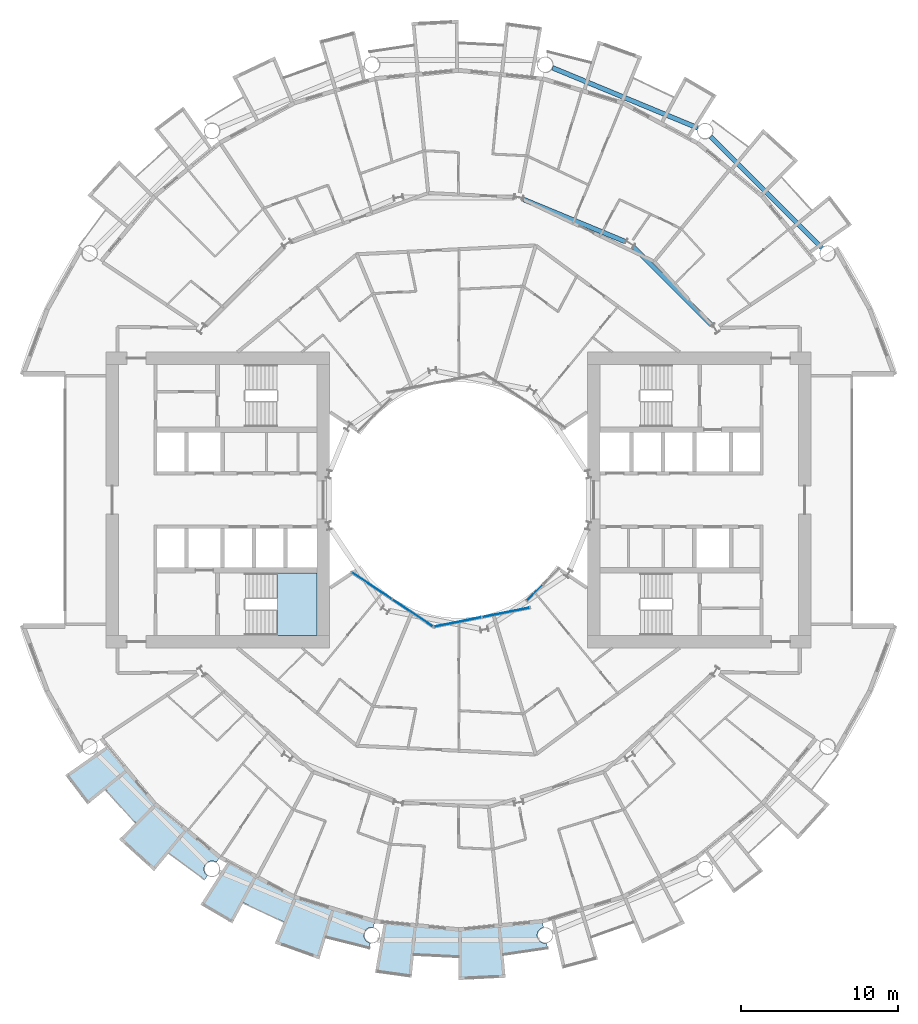
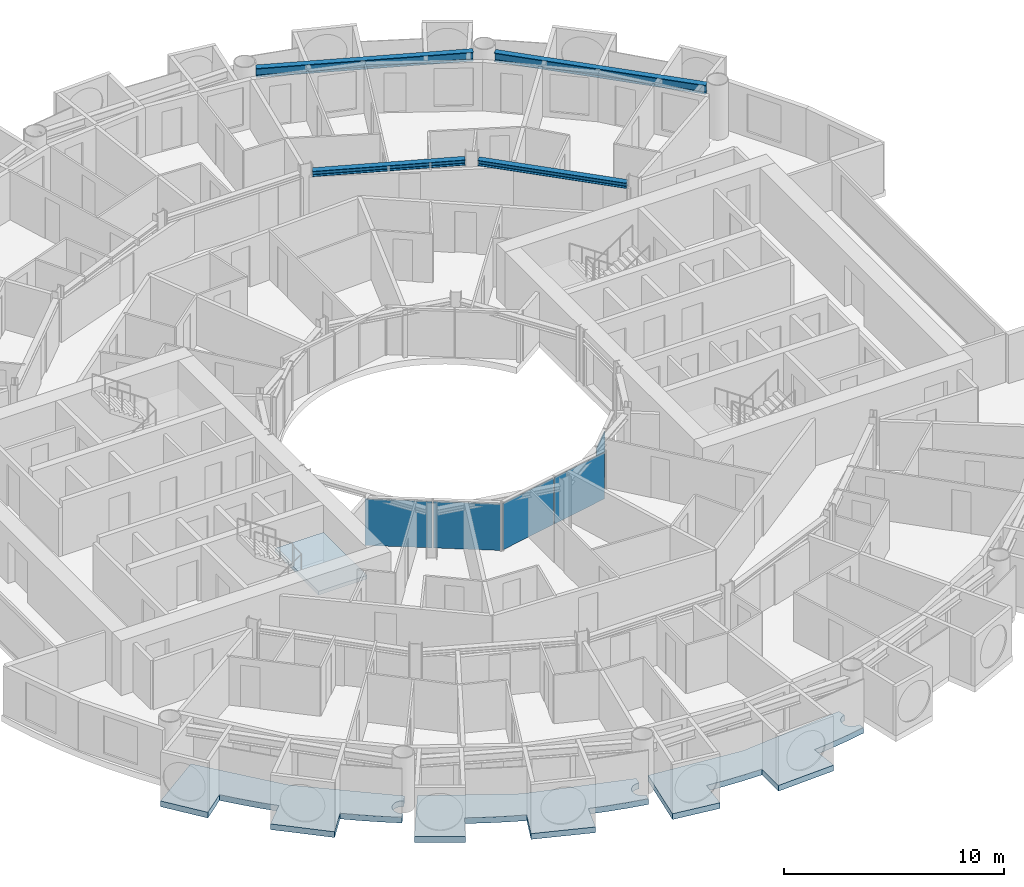
# One storey, part 9 of 25: 5 plates, 4 beams, 4 slabs, 4 elements without a shape of their own.
"""IFC4 building model written with IfcOpenShell, lengths in metres."""

from ifc_helpers import new_model, si_unit, direction, frame, origin, origin_2d, place, context, subcontext, project, spatial, polyline, rectangle, i_section, outline, extrude, material, layer, layer_set, material_profile, profile_set, type_object, element, aggregate, save


model = new_model("IFC4")

# Units and contexts
model_context = context("Model", 3, precision=1e-05, world=origin(), true_north=direction((0.0, 1.0)))
body_context = subcontext(model_context, "Body", "Model", "MODEL_VIEW")
ifc_project = project(units=[si_unit("LENGTHUNIT", "METRE"), si_unit("AREAUNIT", "SQUARE_METRE"), si_unit("VOLUMEUNIT", "CUBIC_METRE"), si_unit("PLANEANGLEUNIT", "RADIAN"), si_unit("MASSUNIT", "GRAM", prefix="KILO")], contexts=[model_context])

# Site, building, storey
site_placement = place(None, origin())
site = spatial("IfcSite", under=ifc_project, at=site_placement, CompositionType="ELEMENT")
building_placement = place(site_placement, origin())
building = spatial("IfcBuilding", under=site, at=building_placement, Name="Maasbend Ring Residences", CompositionType="ELEMENT")
storey_placement = place(building_placement, frame((0.0, 0.0, 41.10009765625)))
storey = spatial("IfcBuildingStorey", under=building, at=storey_placement, Name="L11", CompositionType="ELEMENT", Elevation=41.10009765625)

# Beams
ifc_material_1 = material(Name="Steel S355J2", Category="steel")
ifc_material_profile_1 = material_profile(ifc_material_1, i_section(OverallWidth=0.300048828125, OverallDepth=0.300048828125, WebThickness=0.010986328125, FlangeThickness=0.01904296875, FilletRadius=0.027099609375, at=origin_2d()), Name="HEB 300")
ifc_profile_set_1 = profile_set([ifc_material_profile_1], Name="Steel S355J2")
beam_type_1 = type_object("IfcBeamType", Name="Corridor ring beam HEB 300", PredefinedType="BEAM", material=ifc_profile_set_1)
beam_1_placement = place(storey_placement, frame((16.0732421875, 11.11279296875, 2.5498046875), z_axis=(-0.707106781187, 0.707106781187, 0.0), x_axis=(-0.707106781187, -0.707106781187, 0.0)))
element("IfcBeam", 1, at=beam_1_placement, inside=storey, type_object=beam_type_1, Name="Corridor ring beam", PredefinedType="BEAM", context=body_context, shape_type="SweptSolid", body=[
    extrude(i_section(OverallWidth=0.300048828125, OverallDepth=0.300048828125, WebThickness=0.010986328125, FlangeThickness=0.01904296875, FilletRadius=0.027099609375, at=origin_2d()), origin(), (0.0, 0.0, 1.0), 7.01513671875),
])
beam_2_placement = place(storey_placement, frame((10.59716796875, 16.417724609375, 2.5498046875), z_axis=(-0.923886196809, 0.38266734293, 0.0), x_axis=(-0.38266734293, -0.923886196809, 0.0)))
element("IfcBeam", 2, at=beam_2_placement, inside=storey, type_object=beam_type_1, Name="Corridor ring beam", PredefinedType="BEAM", context=body_context, shape_type="SweptSolid", body=[
    extrude(i_section(OverallWidth=0.300048828125, OverallDepth=0.300048828125, WebThickness=0.010986328125, FlangeThickness=0.01904296875, FilletRadius=0.027099609375, at=origin_2d()), origin(), (0.0, 0.0, 1.0), 7.015380859375),
])
ifc_material_2 = material(Name="Steel S355J2", Category="steel")
ifc_material_profile_2 = material_profile(ifc_material_2, i_section(OverallWidth=0.300048828125, OverallDepth=0.5, WebThickness=0.014404296875, FlangeThickness=0.028076171875, FilletRadius=0.027099609375, at=origin_2d()), Name="HEB 500")
ifc_profile_set_2 = profile_set([ifc_material_profile_2], Name="Steel S355J2")
beam_type_2 = type_object("IfcBeamType", Name="Spandrel ring beam HEB 500", PredefinedType="SPANDREL", material=ifc_profile_set_2)
beam_3_placement = place(storey_placement, frame((23.088134765625, 16.0263671875, 2.449951171875), z_axis=(-0.707106781187, 0.707106781187, 0.0), x_axis=(-0.707106781187, -0.707106781187, 0.0)))
element("IfcBeam", 3, at=beam_3_placement, inside=storey, type_object=beam_type_2, Name="Spandrel ring beam", PredefinedType="SPANDREL", context=body_context, shape_type="SweptSolid", body=[
    extrude(i_section(OverallWidth=0.300048828125, OverallDepth=0.5, WebThickness=0.014404296875, FlangeThickness=0.028076171875, FilletRadius=0.027099609375, at=origin_2d()), origin(), (0.0, 0.0, 1.0), 9.98681640625),
])
beam_4_placement = place(storey_placement, frame((15.19775390625, 23.641845703125, 2.449951171875), z_axis=(-0.923886337442, 0.382667003395, 0.0), x_axis=(-0.382667003395, -0.923886337442, 0.0)))
element("IfcBeam", 4, at=beam_4_placement, inside=storey, type_object=beam_type_2, Name="Spandrel ring beam", PredefinedType="SPANDREL", context=body_context, shape_type="SweptSolid", body=[
    extrude(i_section(OverallWidth=0.300048828125, OverallDepth=0.5, WebThickness=0.014404296875, FlangeThickness=0.028076171875, FilletRadius=0.027099609375, at=origin_2d()), origin(), (0.0, 0.0, 1.0), 9.9873046875),
])

# Stair, slab
ifc_material_3 = material(Name="Concrete C40/50", Category="concrete")
stair_type = type_object("IfcStairType", Name="CORE STAIR 18 RISERS", PredefinedType="HALF_TURN_STAIR", material=ifc_material_3)
stair_placement = place(storey_placement, origin())
stair = element("IfcStair", 5, at=stair_placement, inside=storey, type_object=stair_type, Name="L11 Exit stair ST-W1", PredefinedType="HALF_TURN_STAIR")
ifc_material_4 = material(Name="Concrete C40/50", Category="concrete")
ifc_layer_1 = layer(ifc_material_4, 0.199951171875)
ifc_layer_set_1 = layer_set([ifc_layer_1], Name="Concrete C40/50")
slab_type_1 = type_object("IfcSlabType", Name="CORE STAIR LANDING 200", PredefinedType="LANDING", material=ifc_layer_set_1)
slab_1_placement = place(storey_placement, frame((0.0, 0.0, 1.324951171875)))
slab_1 = element("IfcSlab", 6, at=slab_1_placement, type_object=slab_type_1, Name="ST-W1 landing 1", PredefinedType="LANDING", context=body_context, shape_type="SweptSolid", body=[
    extrude(outline(polyline([(-11.550048828125, -8.60009765625), (-9.0, -8.60009765625), (-9.0, -4.64990234375), (-11.550048828125, -4.64990234375), (-11.550048828125, -8.60009765625)])), origin(), (0.0, 0.0, 1.0), 0.199951171875),
])
aggregate(stair, [slab_1])

# Curtain wall, plates
ifc_material_5 = material(Name="Aluminium and clear glass", Category="aluminium")
ifc_layer_2 = layer(ifc_material_5, 0.179931640625)
ifc_layer_set_2 = layer_set([ifc_layer_2], Name="CW-W")
curtain_wall_type = type_object("IfcCurtainWallType", Name="CW-W", PredefinedType="NOTDEFINED", material=ifc_layer_set_2)
curtain_wall_1_placement = place(storey_placement, origin())
curtain_wall_1 = element("IfcCurtainWall", 7, at=curtain_wall_1_placement, inside=storey, type_object=curtain_wall_type, Name="Well curtain wall S1", PredefinedType="NOTDEFINED")
ifc_material_6 = material(Name="Glass clear laminated", Category="glass")
ifc_layer_3 = layer(ifc_material_6, 0.031982421875)
ifc_layer_set_3 = layer_set([ifc_layer_3], Name="CWP-W")
plate_type = type_object("IfcPlateType", Name="CWP-W", PredefinedType="CURTAIN_PANEL", material=ifc_layer_set_3)
plate_1_placement = place(storey_placement, frame((-5.51123046875, -5.44580078125, -0.000244140625), z_axis=(0.0, 0.0, 1.0), x_axis=(0.831469612303, -0.55557023302, 0.0)))
plate_1 = element("IfcPlate", 8, at=plate_1_placement, type_object=plate_type, Name="Glass panel well face", PredefinedType="CURTAIN_PANEL", context=body_context, shape_type="SweptSolid", body=[
    extrude(rectangle(XDim=3.053955078125, YDim=0.031982421875, at=origin_2d()), origin(), (0.0, 0.0, 1.0), 2.580078125),
])
plate_2_placement = place(storey_placement, frame((-2.922119140625, -7.17578125, -0.000244140625), z_axis=(0.0, 0.0, 1.0), x_axis=(0.831469612303, -0.55557023302, 0.0)))
plate_2 = element("IfcPlate", 9, at=plate_2_placement, type_object=plate_type, Name="Glass panel well face", PredefinedType="CURTAIN_PANEL", context=body_context, shape_type="SweptSolid", body=[
    extrude(rectangle(XDim=3.053955078125, YDim=0.031982421875, at=origin_2d()), origin(), (0.0, 0.0, 1.0), 2.580078125),
])
aggregate(curtain_wall_1, [plate_1, plate_2])

curtain_wall_2_placement = place(storey_placement, origin())
curtain_wall_2 = element("IfcCurtainWall", 10, at=curtain_wall_2_placement, inside=storey, type_object=curtain_wall_type, Name="Well curtain wall S2", PredefinedType="NOTDEFINED")
plate_3_placement = place(storey_placement, frame((-0.04638671875, -7.747802734375, -0.000244140625), z_axis=(0.0, 0.0, 1.0), x_axis=(0.980785280403, 0.195090322016, 0.0)))
plate_3 = element("IfcPlate", 11, at=plate_3_placement, type_object=plate_type, Name="Glass panel well face", PredefinedType="CURTAIN_PANEL", context=body_context, shape_type="SweptSolid", body=[
    extrude(rectangle(XDim=3.053955078125, YDim=0.031982421875, at=origin_2d()), origin(), (0.0, 0.0, 1.0), 2.580078125),
])
plate_4_placement = place(storey_placement, frame((3.0078125, -7.140380859375, -0.000244140625), z_axis=(0.0, 0.0, 1.0), x_axis=(0.980785280403, 0.195090322016, 0.0)))
plate_4 = element("IfcPlate", 12, at=plate_4_placement, type_object=plate_type, Name="Glass panel well face", PredefinedType="CURTAIN_PANEL", context=body_context, shape_type="SweptSolid", body=[
    extrude(rectangle(XDim=3.053955078125, YDim=0.031982421875, at=origin_2d()), origin(), (0.0, 0.0, 1.0), 2.580078125),
])
aggregate(curtain_wall_2, [plate_3, plate_4])

# Curtain wall, plate
curtain_wall_3_placement = place(storey_placement, origin())
curtain_wall_3 = element("IfcCurtainWall", 13, at=curtain_wall_3_placement, inside=storey, type_object=curtain_wall_type, Name="Well curtain wall S3", PredefinedType="NOTDEFINED")
plate_5_placement = place(storey_placement, frame((4.84375, -5.89013671875, -0.000244140625), z_axis=(0.0, 0.0, 1.0), x_axis=(0.707106781187, 0.707106781187, 0.0)))
plate_5 = element("IfcPlate", 14, at=plate_5_placement, type_object=plate_type, Name="Glass panel well face", PredefinedType="CURTAIN_PANEL", context=body_context, shape_type="SweptSolid", body=[
    extrude(rectangle(XDim=1.419677734375, YDim=0.031982421875, at=origin_2d()), origin(), (0.0, 0.0, 1.0), 2.580078125),
])
aggregate(curtain_wall_3, [plate_5])

# Slabs
ifc_material_7 = material(Name="Concrete C40/50", Category="concrete")
ifc_layer_4 = layer(ifc_material_7, 0.199951171875)
ifc_layer_set_4 = layer_set([ifc_layer_4], Name="Concrete C40/50")
slab_type_2 = type_object("IfcSlabType", Name="SL-LOGGIA", PredefinedType="FLOOR", material=ifc_layer_set_4)
slab_2_placement = place(storey_placement, frame((0.0, 0.0, -0.35009765625)))
element("IfcSlab", 15, at=slab_2_placement, inside=storey, type_object=slab_type_2, Name="Loggia floor 2", PredefinedType="FLOOR", context=body_context, shape_type="SweptSolid", body=[
    extrude(outline(polyline([(-12.806884765625, -23.9609375), (-10.447021484375, -25.221923828125), (-10.447021484375, -25.221923828125), (-10.447021484375, -25.221923828125), (-7.886962890625, -25.9990234375), (-5.325927734375, -26.77490234375), (-5.325927734375, -26.77490234375), (-5.325927734375, -26.77490234375), (-5.402099609375, -27.159912109375), (-5.4150390625, -27.157958984375), (-5.427001953125, -27.156005859375), (-5.43896484375, -27.154052734375), (-5.451904296875, -27.153076171875), (-5.464111328125, -27.15087890625), (-5.47705078125, -27.15087890625), (-5.489013671875, -27.14990234375), (-5.501953125, -27.14990234375), (-5.513916015625, -27.14990234375), (-5.52587890625, -27.15087890625), (-5.5390625, -27.15087890625), (-5.551025390625, -27.153076171875), (-5.56396484375, -27.154052734375), (-5.575927734375, -27.156005859375), (-5.587890625, -27.157958984375), (-5.60107421875, -27.159912109375), (-5.613037109375, -27.162109375), (-5.625, -27.1650390625), (-5.636962890625, -27.1689453125), (-5.64892578125, -27.172119140625), (-5.660888671875, -27.176025390625), (-5.673095703125, -27.179931640625), (-5.68408203125, -27.18408203125), (-5.696044921875, -27.18896484375), (-5.70703125, -27.194091796875), (-5.718994140625, -27.198974609375), (-5.72998046875, -27.2041015625), (-5.740966796875, -27.2099609375), (-5.751953125, -27.216064453125), (-5.762939453125, -27.221923828125), (-5.77294921875, -27.22900390625), (-5.783935546875, -27.236083984375), (-5.7939453125, -27.242919921875), (-5.803955078125, -27.25), (-5.81396484375, -27.258056640625), (-5.823974609375, -27.264892578125), (-5.8330078125, -27.27294921875), (-5.843017578125, -27.281982421875), (-5.85205078125, -27.2900390625), (-5.861083984375, -27.299072265625), (-5.868896484375, -27.30810546875), (-5.8779296875, -27.31689453125), (-5.885986328125, -27.325927734375), (-5.89404296875, -27.3359375), (-5.902099609375, -27.345947265625), (-5.909912109375, -27.35498046875), (-5.9169921875, -27.365966796875), (-5.924072265625, -27.3759765625), (-5.930908203125, -27.385986328125), (-5.93701171875, -27.39697265625), (-5.944091796875, -27.407958984375), (-5.949951171875, -27.4189453125), (-5.955078125, -27.429931640625), (-5.9609375, -27.44091796875), (-5.966064453125, -27.451904296875), (-5.970947265625, -27.464111328125), (-5.97509765625, -27.47509765625), (-5.97998046875, -27.487060546875), (-5.98388671875, -27.4990234375), (-5.988037109375, -27.510986328125), (-5.990966796875, -27.52294921875), (-5.993896484375, -27.534912109375), (-5.9970703125, -27.547119140625), (-6.0, -27.55908203125), (-6.001953125, -27.571044921875), (-6.00390625, -27.583984375), (-6.006103515625, -27.595947265625), (-6.007080078125, -27.60791015625), (-6.008056640625, -27.62109375), (-6.009033203125, -27.633056640625), (-6.009033203125, -27.64599609375), (-6.010009765625, -27.657958984375), (-6.009033203125, -27.6708984375), (-6.009033203125, -27.68310546875), (-6.008056640625, -27.695068359375), (-6.007080078125, -27.7080078125), (-6.006103515625, -27.719970703125), (-6.00390625, -27.73291015625), (-6.001953125, -27.7451171875), (-6.0, -27.757080078125), (-5.9970703125, -27.76904296875), (-5.993896484375, -27.781982421875), (-5.990966796875, -27.7939453125), (-5.988037109375, -27.805908203125), (-5.98388671875, -27.81689453125), (-5.97998046875, -27.8291015625), (-5.97509765625, -27.841064453125), (-5.970947265625, -27.85302734375), (-5.966064453125, -27.864013671875), (-5.9609375, -27.875), (-5.955078125, -27.886962890625), (-5.949951171875, -27.89794921875), (-5.944091796875, -27.907958984375), (-5.93701171875, -27.9189453125), (-5.930908203125, -27.929931640625), (-5.924072265625, -27.93994140625), (-5.9169921875, -27.950927734375), (-5.909912109375, -27.9609375), (-5.902099609375, -27.970947265625), (-5.89404296875, -27.97998046875), (-5.885986328125, -27.989990234375), (-5.8779296875, -27.9990234375), (-5.868896484375, -28.008056640625), (-5.861083984375, -28.01708984375), (-5.85205078125, -28.02587890625), (-5.843017578125, -28.034912109375), (-5.8330078125, -28.04296875), (-5.823974609375, -28.051025390625), (-5.81396484375, -28.05908203125), (-5.803955078125, -28.06591796875), (-5.7939453125, -28.072998046875), (-5.783935546875, -28.080078125), (-5.77294921875, -28.0869140625), (-5.762939453125, -28.093994140625), (-5.751953125, -28.10009765625), (-5.740966796875, -28.10595703125), (-5.72998046875, -28.112060546875), (-5.718994140625, -28.116943359375), (-5.70703125, -28.123046875), (-5.696044921875, -28.126953125), (-5.68408203125, -28.132080078125), (-5.673095703125, -28.135986328125), (-5.660888671875, -28.139892578125), (-5.64892578125, -28.14404296875), (-5.636962890625, -28.14794921875), (-5.625, -28.15087890625), (-5.613037109375, -28.154052734375), (-5.60107421875, -28.156005859375), (-5.657958984375, -28.443115234375), (-5.657958984375, -28.443115234375), (-5.657958984375, -28.443115234375), (-6.5849609375, -28.241943359375), (-6.5849609375, -28.241943359375), (-7.506103515625, -28.011962890625), (-7.506103515625, -28.011962890625), (-8.41796875, -27.7509765625), (-8.41796875, -27.7509765625), (-8.41796875, -27.7509765625), (-8.41796875, -27.7509765625), (-8.41796875, -27.7509765625), (-8.41796875, -27.7509765625), (-8.41796875, -27.7509765625), (-8.41796875, -27.7509765625), (-8.41796875, -27.7509765625), (-8.41796875, -27.7509765625), (-8.41796875, -27.751953125), (-8.41796875, -27.751953125), (-8.41796875, -27.751953125), (-8.41796875, -27.751953125), (-8.41796875, -27.751953125), (-8.41796875, -27.751953125), (-8.41796875, -27.751953125), (-8.85400390625, -29.18701171875), (-8.85400390625, -29.18701171875), (-8.85400390625, -29.18701171875), (-11.672119140625, -28.177978515625), (-11.672119140625, -28.177978515625), (-11.672119140625, -28.177978515625), (-11.097900390625, -26.79296875), (-11.097900390625, -26.79296875), (-11.097900390625, -26.79296875), (-11.097900390625, -26.79296875), (-11.097900390625, -26.79296875), (-11.097900390625, -26.79296875), (-11.097900390625, -26.79296875), (-11.097900390625, -26.79296875), (-11.097900390625, -26.79296875), (-11.097900390625, -26.79296875), (-11.097900390625, -26.7919921875), (-11.097900390625, -26.7919921875), (-11.097900390625, -26.7919921875), (-11.097900390625, -26.7919921875), (-11.097900390625, -26.7919921875), (-11.097900390625, -26.7919921875), (-11.097900390625, -26.7919921875), (-11.968994140625, -26.4150390625), (-11.968994140625, -26.4150390625), (-12.825927734375, -26.009033203125), (-12.825927734375, -26.009033203125), (-13.669921875, -25.575927734375), (-13.669921875, -25.575927734375), (-13.669921875, -25.575927734375), (-13.669921875, -25.575927734375), (-13.669921875, -25.575927734375), (-13.669921875, -25.575927734375), (-13.669921875, -25.575927734375), (-13.669921875, -25.575927734375), (-13.669921875, -25.575927734375), (-13.669921875, -25.575927734375), (-13.6708984375, -25.575927734375), (-13.6708984375, -25.575927734375), (-13.6708984375, -25.575927734375), (-13.6708984375, -25.575927734375), (-13.6708984375, -25.575927734375), (-13.6708984375, -25.575927734375), (-13.6708984375, -25.575927734375), (-14.3779296875, -26.89892578125), (-14.3779296875, -26.89892578125), (-14.3779296875, -26.89892578125), (-16.39404296875, -25.718994140625), (-16.39404296875, -25.718994140625), (-16.39404296875, -25.718994140625), (-14.64599609375, -22.97705078125), (-14.64599609375, -22.97705078125), (-14.64599609375, -22.97705078125), (-12.806884765625, -23.9609375)])), origin(), (0.0, 0.0, 1.0), 0.320068359375),
])
slab_3_placement = place(storey_placement, frame((0.0, 0.0, -0.35009765625)))
element("IfcSlab", 16, at=slab_3_placement, inside=storey, type_object=slab_type_2, Name="Loggia floor 3", PredefinedType="FLOOR", context=body_context, shape_type="SweptSolid", body=[
    extrude(outline(polyline([(-2.6630859375, -27.0380859375), (0.0, -27.300048828125), (0.0, -27.300048828125), (0.0, -27.300048828125), (2.6630859375, -27.0380859375), (5.325927734375, -26.77490234375), (5.325927734375, -26.77490234375), (5.325927734375, -26.77490234375), (5.402099609375, -27.159912109375), (5.402099609375, -27.159912109375), (5.389892578125, -27.162109375), (5.3779296875, -27.1650390625), (5.365966796875, -27.1689453125), (5.35400390625, -27.172119140625), (5.342041015625, -27.176025390625), (5.330078125, -27.179931640625), (5.319091796875, -27.18408203125), (5.306884765625, -27.18896484375), (5.2958984375, -27.194091796875), (5.283935546875, -27.198974609375), (5.27294921875, -27.2041015625), (5.261962890625, -27.2099609375), (5.2509765625, -27.216064453125), (5.239990234375, -27.221923828125), (5.22998046875, -27.22900390625), (5.218994140625, -27.236083984375), (5.208984375, -27.242919921875), (5.198974609375, -27.25), (5.18896484375, -27.258056640625), (5.178955078125, -27.264892578125), (5.169921875, -27.27294921875), (5.159912109375, -27.281982421875), (5.15087890625, -27.2900390625), (5.14208984375, -27.299072265625), (5.134033203125, -27.30810546875), (5.125, -27.31689453125), (5.116943359375, -27.325927734375), (5.10888671875, -27.3359375), (5.10107421875, -27.345947265625), (5.093017578125, -27.35498046875), (5.0859375, -27.365966796875), (5.0791015625, -27.3759765625), (5.072021484375, -27.385986328125), (5.06591796875, -27.39697265625), (5.05908203125, -27.407958984375), (5.052978515625, -27.4189453125), (5.048095703125, -27.429931640625), (5.0419921875, -27.44091796875), (5.037109375, -27.451904296875), (5.031982421875, -27.464111328125), (5.028076171875, -27.47509765625), (5.02294921875, -27.487060546875), (5.01904296875, -27.4990234375), (5.014892578125, -27.510986328125), (5.011962890625, -27.52294921875), (5.009033203125, -27.534912109375), (5.006103515625, -27.547119140625), (5.0029296875, -27.55908203125), (5.0009765625, -27.571044921875), (4.9990234375, -27.583984375), (4.9970703125, -27.595947265625), (4.99609375, -27.60791015625), (4.9951171875, -27.62109375), (4.993896484375, -27.633056640625), (4.993896484375, -27.64599609375), (4.993896484375, -27.657958984375), (4.993896484375, -27.6708984375), (4.993896484375, -27.68310546875), (4.9951171875, -27.695068359375), (4.99609375, -27.7080078125), (4.9970703125, -27.719970703125), (4.9990234375, -27.73291015625), (5.0009765625, -27.7451171875), (5.0029296875, -27.757080078125), (5.006103515625, -27.76904296875), (5.009033203125, -27.781982421875), (5.011962890625, -27.7939453125), (5.014892578125, -27.805908203125), (5.01904296875, -27.81689453125), (5.02294921875, -27.8291015625), (5.028076171875, -27.841064453125), (5.031982421875, -27.85302734375), (5.037109375, -27.864013671875), (5.0419921875, -27.875), (5.048095703125, -27.886962890625), (5.052978515625, -27.89794921875), (5.05908203125, -27.907958984375), (5.06591796875, -27.9189453125), (5.072021484375, -27.929931640625), (5.0791015625, -27.93994140625), (5.0859375, -27.950927734375), (5.093017578125, -27.9609375), (5.10107421875, -27.970947265625), (5.10888671875, -27.97998046875), (5.116943359375, -27.989990234375), (5.125, -27.9990234375), (5.134033203125, -28.008056640625), (5.14208984375, -28.01708984375), (5.15087890625, -28.02587890625), (5.159912109375, -28.034912109375), (5.169921875, -28.04296875), (5.178955078125, -28.051025390625), (5.18896484375, -28.05908203125), (5.198974609375, -28.06591796875), (5.208984375, -28.072998046875), (5.218994140625, -28.080078125), (5.22998046875, -28.0869140625), (5.239990234375, -28.093994140625), (5.2509765625, -28.10009765625), (5.261962890625, -28.10595703125), (5.27294921875, -28.112060546875), (5.283935546875, -28.116943359375), (5.2958984375, -28.123046875), (5.306884765625, -28.126953125), (5.319091796875, -28.132080078125), (5.330078125, -28.135986328125), (5.342041015625, -28.139892578125), (5.35400390625, -28.14404296875), (5.365966796875, -28.14794921875), (5.3779296875, -28.15087890625), (5.389892578125, -28.154052734375), (5.402099609375, -28.156005859375), (5.4150390625, -28.158935546875), (5.427001953125, -28.160888671875), (5.43896484375, -28.162109375), (5.451904296875, -28.1640625), (5.464111328125, -28.1650390625), (5.47705078125, -28.1650390625), (5.489013671875, -28.166015625), (5.501953125, -28.166015625), (5.513916015625, -28.166015625), (5.52587890625, -28.1650390625), (5.5390625, -28.1650390625), (5.551025390625, -28.1640625), (5.56396484375, -28.162109375), (5.575927734375, -28.160888671875), (5.587890625, -28.158935546875), (5.60107421875, -28.156005859375), (5.60107421875, -28.156005859375), (5.657958984375, -28.443115234375), (5.657958984375, -28.443115234375), (5.657958984375, -28.443115234375), (4.72412109375, -28.613037109375), (4.72412109375, -28.613037109375), (3.784912109375, -28.751953125), (3.784912109375, -28.751953125), (2.843017578125, -28.860107421875), (2.843017578125, -28.860107421875), (2.843017578125, -28.860107421875), (2.843017578125, -28.860107421875), (2.843017578125, -28.860107421875), (2.843017578125, -28.860107421875), (2.843017578125, -28.860107421875), (2.843017578125, -28.860107421875), (2.843017578125, -28.860107421875), (2.843017578125, -28.861083984375), (2.843017578125, -28.861083984375), (2.843017578125, -28.861083984375), (2.843017578125, -28.861083984375), (2.843017578125, -28.861083984375), (2.843017578125, -28.861083984375), (2.843017578125, -28.861083984375), (2.843017578125, -28.861083984375), (2.989990234375, -30.35302734375), (2.989990234375, -30.35302734375), (2.989990234375, -30.35302734375), (0.0, -30.5), (0.0, -30.5), (0.0, -30.5), (0.0, -29.0), (0.0, -29.0), (0.0, -29.0), (0.0, -29.0), (0.0, -29.0), (0.0, -29.0), (0.0, -29.0), (0.0, -29.0), (0.0, -29.0), (0.0, -29.0), (0.0, -29.0), (0.0, -29.0), (0.0, -29.0), (0.0, -29.0), (0.0, -29.0), (0.0, -29.0), (0.0, -29.0), (-0.948974609375, -28.98388671875), (-0.948974609375, -28.98388671875), (-1.89697265625, -28.93798828125), (-1.89697265625, -28.93798828125), (-2.842041015625, -28.860107421875), (-2.842041015625, -28.860107421875), (-2.842041015625, -28.860107421875), (-2.842041015625, -28.860107421875), (-2.842041015625, -28.860107421875), (-2.842041015625, -28.860107421875), (-2.842041015625, -28.860107421875), (-2.842041015625, -28.860107421875), (-2.842041015625, -28.861083984375), (-2.842041015625, -28.861083984375), (-2.842041015625, -28.861083984375), (-2.842041015625, -28.861083984375), (-2.842041015625, -28.861083984375), (-2.843017578125, -28.861083984375), (-2.843017578125, -28.861083984375), (-2.843017578125, -28.861083984375), (-2.843017578125, -28.861083984375), (-2.989990234375, -30.35302734375), (-2.989990234375, -30.35302734375), (-2.989990234375, -30.35302734375), (-5.303955078125, -30.034912109375), (-5.303955078125, -30.034912109375), (-5.303955078125, -30.034912109375), (-4.739013671875, -26.8330078125), (-4.739013671875, -26.8330078125), (-4.739013671875, -26.8330078125), (-2.6630859375, -27.0380859375)])), origin(), (0.0, 0.0, 1.0), 0.320068359375),
])
slab_4_placement = place(storey_placement, frame((0.0, 0.0, -0.35009765625)))
element("IfcSlab", 17, at=slab_4_placement, inside=storey, type_object=slab_type_2, Name="Loggia floor 5", PredefinedType="FLOOR", context=body_context, shape_type="SweptSolid", body=[
    extrude(outline(polyline([(-21.001953125, -17.236083984375), (-19.303955078125, -19.303955078125), (-19.303955078125, -19.303955078125), (-19.303955078125, -19.303955078125), (-17.236083984375, -21.001953125), (-15.1669921875, -22.698974609375), (-15.1669921875, -22.698974609375), (-15.1669921875, -22.698974609375), (-15.385009765625, -23.02490234375), (-15.385009765625, -23.02490234375), (-15.39501953125, -23.01806640625), (-15.406005859375, -23.011962890625), (-15.4169921875, -23.0048828125), (-15.427978515625, -22.9990234375), (-15.43896484375, -22.993896484375), (-15.449951171875, -22.988037109375), (-15.4609375, -22.98291015625), (-15.472900390625, -22.97802734375), (-15.48388671875, -22.972900390625), (-15.49609375, -22.968994140625), (-15.508056640625, -22.965087890625), (-15.52001953125, -22.9609375), (-15.531982421875, -22.9580078125), (-15.5439453125, -22.955078125), (-15.555908203125, -22.951904296875), (-15.568115234375, -22.948974609375), (-15.580078125, -22.947021484375), (-15.593017578125, -22.945068359375), (-15.60498046875, -22.943115234375), (-15.616943359375, -22.94189453125), (-15.6298828125, -22.94091796875), (-15.64208984375, -22.93994140625), (-15.655029296875, -22.93994140625), (-15.6669921875, -22.93896484375), (-15.679931640625, -22.93994140625), (-15.69189453125, -22.93994140625), (-15.7041015625, -22.94091796875), (-15.717041015625, -22.94189453125), (-15.72900390625, -22.943115234375), (-15.741943359375, -22.945068359375), (-15.75390625, -22.947021484375), (-15.76611328125, -22.948974609375), (-15.778076171875, -22.951904296875), (-15.791015625, -22.955078125), (-15.802978515625, -22.9580078125), (-15.81494140625, -22.9609375), (-15.825927734375, -22.965087890625), (-15.837890625, -22.968994140625), (-15.85009765625, -22.972900390625), (-15.862060546875, -22.97802734375), (-15.873046875, -22.98291015625), (-15.884033203125, -22.988037109375), (-15.89599609375, -22.993896484375), (-15.906982421875, -22.9990234375), (-15.9169921875, -23.0048828125), (-15.927978515625, -23.011962890625), (-15.93896484375, -23.01806640625), (-15.948974609375, -23.02490234375), (-15.9599609375, -23.031982421875), (-15.969970703125, -23.0390625), (-15.97998046875, -23.047119140625), (-15.989013671875, -23.054931640625), (-15.9990234375, -23.06298828125), (-16.008056640625, -23.071044921875), (-16.01708984375, -23.0791015625), (-16.02587890625, -23.087890625), (-16.034912109375, -23.096923828125), (-16.0439453125, -23.10595703125), (-16.052001953125, -23.115966796875), (-16.06005859375, -23.125), (-16.068115234375, -23.135009765625), (-16.074951171875, -23.14501953125), (-16.08203125, -23.155029296875), (-16.089111328125, -23.1650390625), (-16.095947265625, -23.176025390625), (-16.10302734375, -23.18603515625), (-16.10888671875, -23.197021484375), (-16.114990234375, -23.2080078125), (-16.12109375, -23.218994140625), (-16.1259765625, -23.22998046875), (-16.132080078125, -23.241943359375), (-16.135986328125, -23.2529296875), (-16.14111328125, -23.264892578125), (-16.14501953125, -23.27587890625), (-16.14892578125, -23.2880859375), (-16.153076171875, -23.300048828125), (-16.156982421875, -23.31201171875), (-16.159912109375, -23.323974609375), (-16.1630859375, -23.3359375), (-16.1650390625, -23.347900390625), (-16.16796875, -23.361083984375), (-16.169921875, -23.373046875), (-16.1708984375, -23.385009765625), (-16.173095703125, -23.39794921875), (-16.174072265625, -23.409912109375), (-16.174072265625, -23.422119140625), (-16.175048828125, -23.43505859375), (-16.175048828125, -23.447021484375), (-16.175048828125, -23.4599609375), (-16.174072265625, -23.471923828125), (-16.174072265625, -23.485107421875), (-16.173095703125, -23.4970703125), (-16.1708984375, -23.510009765625), (-16.169921875, -23.52197265625), (-16.16796875, -23.533935546875), (-16.1650390625, -23.547119140625), (-16.1630859375, -23.55908203125), (-16.159912109375, -23.571044921875), (-16.156982421875, -23.5830078125), (-16.153076171875, -23.594970703125), (-16.14892578125, -23.60693359375), (-16.14501953125, -23.618896484375), (-16.14111328125, -23.6298828125), (-16.135986328125, -23.64208984375), (-16.132080078125, -23.653076171875), (-16.1259765625, -23.6650390625), (-16.12109375, -23.676025390625), (-16.114990234375, -23.68701171875), (-16.10888671875, -23.697998046875), (-16.10302734375, -23.708984375), (-16.095947265625, -23.718994140625), (-16.089111328125, -23.72998046875), (-16.08203125, -23.739990234375), (-16.074951171875, -23.75), (-16.068115234375, -23.760009765625), (-16.06005859375, -23.77001953125), (-16.052001953125, -23.779052734375), (-16.0439453125, -23.7890625), (-16.034912109375, -23.798095703125), (-16.02587890625, -23.806884765625), (-16.01708984375, -23.81494140625), (-16.008056640625, -23.823974609375), (-15.9990234375, -23.83203125), (-15.989013671875, -23.840087890625), (-15.97998046875, -23.847900390625), (-15.969970703125, -23.85498046875), (-15.9599609375, -23.863037109375), (-15.948974609375, -23.8701171875), (-15.948974609375, -23.8701171875), (-16.112060546875, -24.113037109375), (-16.112060546875, -24.113037109375), (-16.112060546875, -24.113037109375), (-16.89208984375, -23.572998046875), (-16.89208984375, -23.572998046875), (-17.654052734375, -23.007080078125), (-17.654052734375, -23.007080078125), (-18.39697265625, -22.41796875), (-18.39697265625, -22.41796875), (-18.39697265625, -22.41796875), (-18.39697265625, -22.41796875), (-18.39697265625, -22.41796875), (-18.39697265625, -22.41796875), (-18.39697265625, -22.41796875), (-18.39697265625, -22.41796875), (-18.39697265625, -22.41796875), (-18.39697265625, -22.41796875), (-18.39697265625, -22.41796875), (-18.39794921875, -22.41796875), (-18.39794921875, -22.41796875), (-18.39794921875, -22.41796875), (-18.39794921875, -22.41796875), (-18.39794921875, -22.41796875), (-18.39794921875, -22.41796875), (-19.34912109375, -23.576904296875), (-19.34912109375, -23.576904296875), (-19.34912109375, -23.576904296875), (-21.56689453125, -21.56689453125), (-21.56689453125, -21.56689453125), (-21.56689453125, -21.56689453125), (-20.506103515625, -20.506103515625), (-20.506103515625, -20.506103515625), (-20.506103515625, -20.506103515625), (-20.506103515625, -20.506103515625), (-20.506103515625, -20.506103515625), (-20.506103515625, -20.506103515625), (-20.506103515625, -20.506103515625), (-20.506103515625, -20.506103515625), (-20.506103515625, -20.506103515625), (-20.506103515625, -20.506103515625), (-20.506103515625, -20.506103515625), (-20.506103515625, -20.506103515625), (-20.506103515625, -20.506103515625), (-20.506103515625, -20.506103515625), (-20.506103515625, -20.506103515625), (-20.506103515625, -20.506103515625), (-20.506103515625, -20.506103515625), (-21.166015625, -19.823974609375), (-21.166015625, -19.823974609375), (-21.802978515625, -19.12109375), (-21.802978515625, -19.12109375), (-22.4169921875, -18.39794921875), (-22.4169921875, -18.39794921875), (-22.4169921875, -18.39794921875), (-22.4169921875, -18.39794921875), (-22.4169921875, -18.39794921875), (-22.4169921875, -18.39794921875), (-22.4169921875, -18.39794921875), (-22.4169921875, -18.39794921875), (-22.4169921875, -18.39794921875), (-22.4169921875, -18.39794921875), (-22.4169921875, -18.39794921875), (-22.4169921875, -18.39794921875), (-22.41796875, -18.39794921875), (-22.41796875, -18.39794921875), (-22.41796875, -18.39794921875), (-22.41796875, -18.39794921875), (-22.41796875, -18.39794921875), (-23.576904296875, -19.34912109375), (-23.576904296875, -19.34912109375), (-23.576904296875, -19.34912109375), (-24.989013671875, -17.488037109375), (-24.989013671875, -17.488037109375), (-24.989013671875, -17.488037109375), (-22.324951171875, -15.623046875), (-22.324951171875, -15.623046875), (-22.324951171875, -15.623046875), (-21.001953125, -17.236083984375)])), origin(), (0.0, 0.0, 1.0), 0.320068359375),
])

save(model, "model.ifc")
